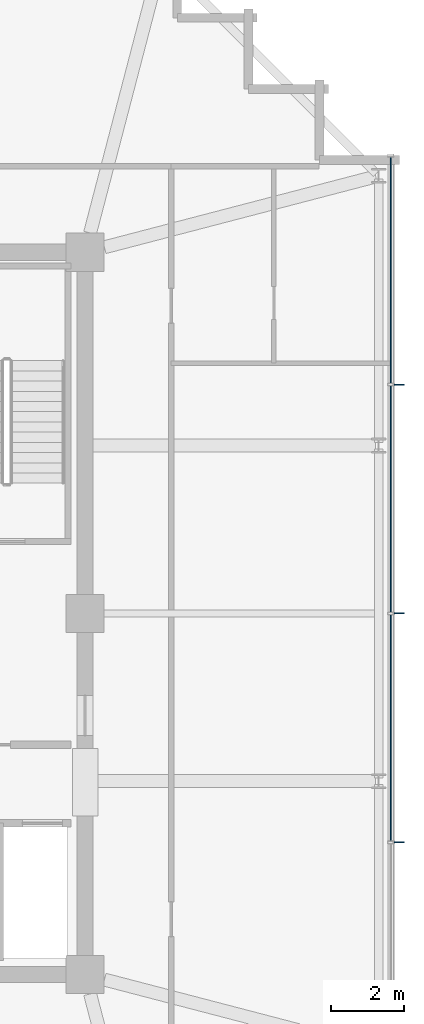
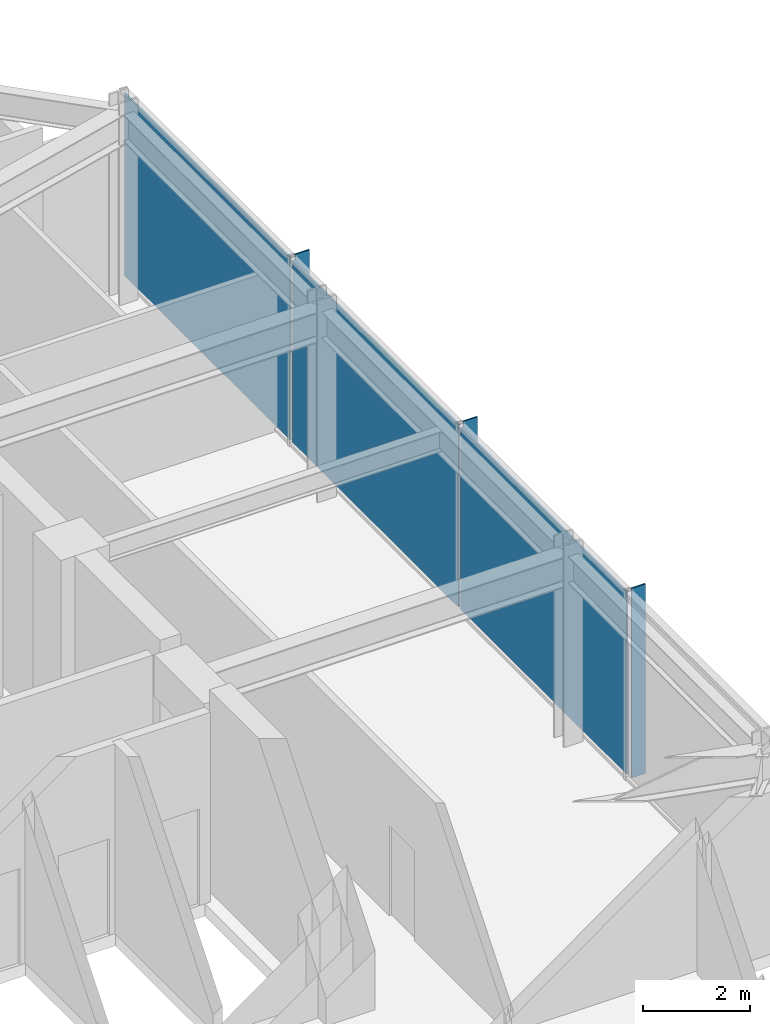
# One storey, part 25 of 30: 6 plates, 1 element without a shape of its own.
"""IFC4 building model written with IfcOpenShell, lengths in metres."""

from ifc_helpers import new_model, si_unit, direction, frame, origin, origin_2d, place, context, subcontext, project, spatial, rectangle, extrude, material, layer, layer_set, type_object, element, aggregate, save


model = new_model("IFC4")

# Units and contexts
model_context = context("Model", 3, precision=1e-05, world=origin(), true_north=direction((0.0, 1.0)))
body_context = subcontext(model_context, "Body", "Model", "MODEL_VIEW")
ifc_project = project(units=[si_unit("LENGTHUNIT", "METRE"), si_unit("AREAUNIT", "SQUARE_METRE"), si_unit("VOLUMEUNIT", "CUBIC_METRE"), si_unit("PLANEANGLEUNIT", "RADIAN"), si_unit("MASSUNIT", "GRAM", prefix="KILO")], contexts=[model_context])

# Site, building, storey
site_placement = place(None, origin())
site = spatial("IfcSite", under=ifc_project, at=site_placement, CompositionType="ELEMENT")
building_placement = place(site_placement, origin())
building = spatial("IfcBuilding", under=site, at=building_placement, Name="Kolvaren Belvedere", CompositionType="ELEMENT")
storey_placement = place(building_placement, frame((0.0, 0.0, 262.800048828125)))
storey = spatial("IfcBuildingStorey", under=building, at=storey_placement, Name="L76", CompositionType="ELEMENT", Elevation=262.800048828125)

# Curtain wall, plates
ifc_material_1 = material(Name="Anodised pale-metal aluminium AA 6063-T6", Category="aluminium")
curtain_wall_type = type_object("IfcCurtainWallType", Name="CW-CRN-OBS", PredefinedType="NOTDEFINED", material=ifc_material_1)
curtain_wall_placement = place(storey_placement, origin())
curtain_wall = element("IfcCurtainWall", 1, at=curtain_wall_placement, inside=storey, type_object=curtain_wall_type, Name="L76 Unitised Curtain Wall FCW-L76-E", PredefinedType="NOTDEFINED")
ifc_material_2 = material(Name="Low-iron laminated vision glass", Category="glass")
ifc_layer_1 = layer(ifc_material_2, 0.031982421875)
ifc_layer_set_1 = layer_set([ifc_layer_1], Name="Low-iron laminated vision glass")
plate_type_1 = type_object("IfcPlateType", Name="CW-PNL-VIS32", PredefinedType="CURTAIN_PANEL", material=ifc_layer_set_1)
plate_1_placement = place(storey_placement, frame((18.280029296875, 9.41259765625, 0.080078125), z_axis=(0.0, 0.0, 1.0), x_axis=(0.0, -1.0, 0.0)))
plate_1 = element("IfcPlate", 2, at=plate_1_placement, type_object=plate_type_1, Name="FCW-L76-E Vision Glazing Panel 1", PredefinedType="CURTAIN_PANEL", context=body_context, shape_type="SweptSolid", body=[
    extrude(rectangle(XDim=6.195068359375, YDim=0.031982421875, at=origin_2d()), origin(), (0.0, 0.0, 1.0), 4.159912109375),
])
plate_2_placement = place(storey_placement, frame((18.280029296875, 3.137451171875, 0.080078125), z_axis=(0.0, 0.0, 1.0), x_axis=(0.0, -1.0, 0.0)))
plate_2 = element("IfcPlate", 3, at=plate_2_placement, type_object=plate_type_1, Name="FCW-L76-E Vision Glazing Panel 2", PredefinedType="CURTAIN_PANEL", context=body_context, shape_type="SweptSolid", body=[
    extrude(rectangle(XDim=6.195068359375, YDim=0.031982421875, at=origin_2d()), origin(), (0.0, 0.0, 1.0), 4.159912109375),
])
plate_3_placement = place(storey_placement, frame((18.280029296875, -3.137451171875, 0.080078125), z_axis=(0.0, 0.0, 1.0), x_axis=(0.0, -1.0, 0.0)))
plate_3 = element("IfcPlate", 4, at=plate_3_placement, type_object=plate_type_1, Name="FCW-L76-E Vision Glazing Panel 3", PredefinedType="CURTAIN_PANEL", context=body_context, shape_type="SweptSolid", body=[
    extrude(rectangle(XDim=6.195068359375, YDim=0.031982421875, at=origin_2d()), origin(), (0.0, 0.0, 1.0), 4.159912109375),
])
aggregate(curtain_wall, [plate_1, plate_2, plate_3])

# Plates
ifc_material_3 = material(Name="Anodised pale-metal aluminium AA 6063-T6", Category="aluminium")
ifc_layer_2 = layer(ifc_material_3, 0.030029296875)
ifc_layer_set_2 = layer_set([ifc_layer_2], Name="Anodised pale-metal aluminium AA 6063-T6")
plate_type_2 = type_object("IfcPlateType", Name="FIN-VERT-300", PredefinedType="USERDEFINED", material=ifc_layer_set_2)
for number, where, z_axis, x_axis, name in (
    (5, (18.4951171875, 6.27490234375, 0.0), (0.0, 0.0, 1.0), (1.0, 0.0, 0.0), "L76 Pale-Metal Vertical Shading Fin FCW-L76-E-1"),
    (6, (18.4951171875, 0.0, 0.0), (0.0, 0.0, 1.0), (1.0, 0.0, 0.0), "L76 Pale-Metal Vertical Shading Fin FCW-L76-E-2"),
    (7, (18.4951171875, -6.27490234375, 0.0), (0.0, 0.0, 1.0), (1.0, 0.0, 0.0), "L76 Pale-Metal Vertical Shading Fin FCW-L76-E-3"),
):
    element("IfcPlate", number, at=place(storey_placement, frame(where, z_axis=z_axis, x_axis=x_axis)), inside=storey, type_object=plate_type_2, Name=name, ObjectType="VERTICAL FIN", PredefinedType="USERDEFINED", context=body_context, shape_type="SweptSolid", body=[
        extrude(rectangle(XDim=0.300048828125, YDim=0.030029296875, at=origin_2d()), origin(), (0.0, 0.0, 1.0), 4.320068359375),
    ])

save(model, "model.ifc")
